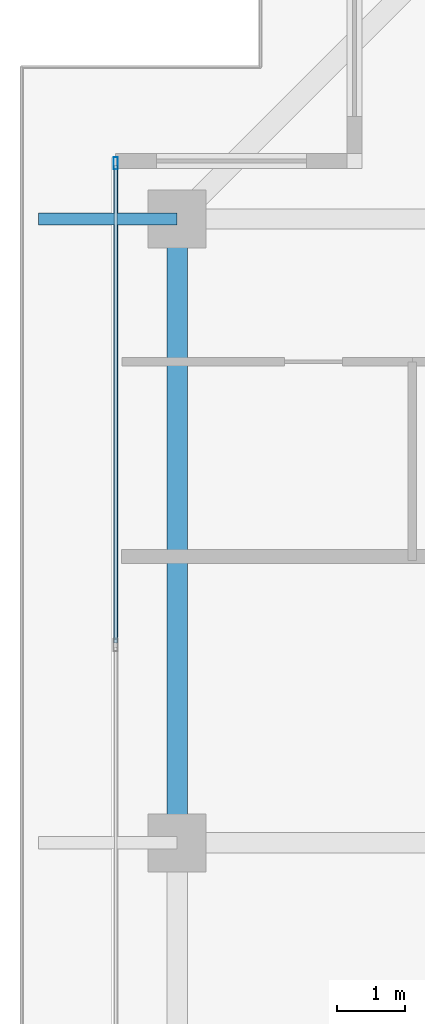
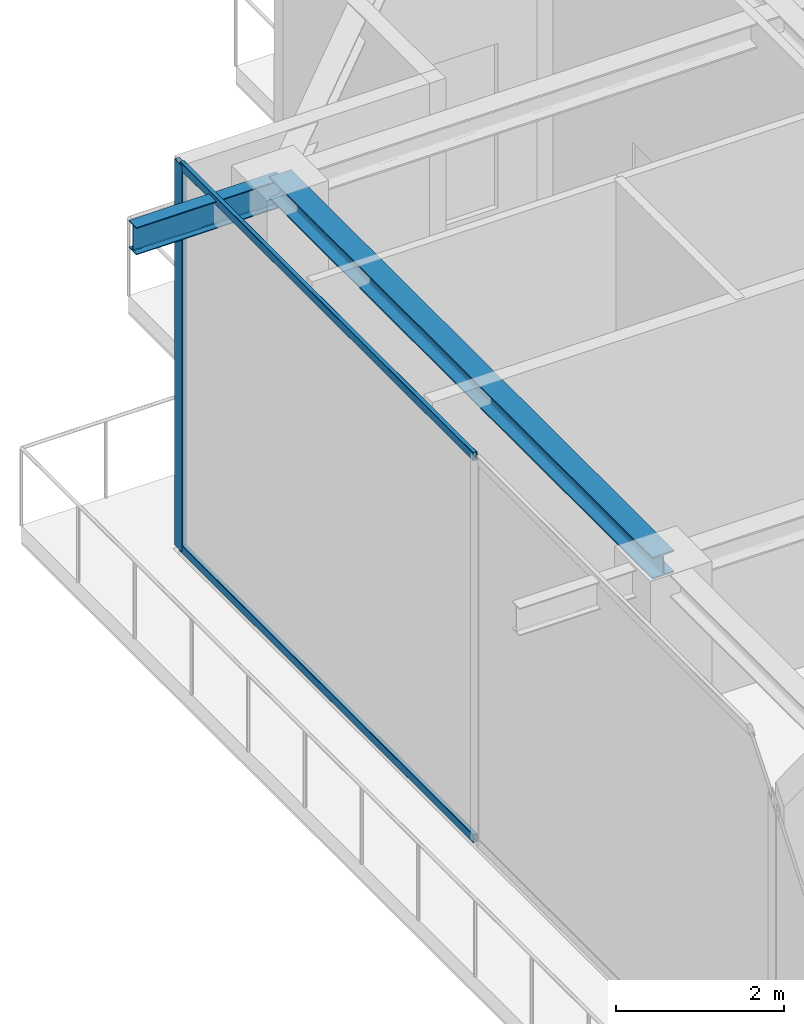
# One storey, part 17 of 38: 3 members, 2 beams, 1 element without a shape of its own.
"""IFC4 building model written with IfcOpenShell, lengths in metres."""

from ifc_helpers import new_model, si_unit, direction, frame, origin, origin_2d, place, context, subcontext, project, spatial, hollow_rectangle, i_section, extrude, source, transform, mapped, material, layer, layer_set, material_profile, profile_set, type_object, element, aggregate, save


model = new_model("IFC4")

# Units and contexts
model_context = context("Model", 3, precision=1e-05, world=origin(), true_north=direction((0.0, 1.0)))
body_context = subcontext(model_context, "Body", "Model", "MODEL_VIEW")
ifc_project = project(units=[si_unit("LENGTHUNIT", "METRE"), si_unit("AREAUNIT", "SQUARE_METRE"), si_unit("VOLUMEUNIT", "CUBIC_METRE"), si_unit("PLANEANGLEUNIT", "RADIAN"), si_unit("MASSUNIT", "GRAM", prefix="KILO")], contexts=[model_context])

# Site, building, storey
site_placement = place(None, origin())
site = spatial("IfcSite", under=ifc_project, at=site_placement, CompositionType="ELEMENT")
building_placement = place(site_placement, origin())
building = spatial("IfcBuilding", under=site, at=building_placement, Name="Serunith Strait Residences", CompositionType="ELEMENT")
storey_placement = place(building_placement, frame((0.0, 0.0, 342.050048828125)))
storey = spatial("IfcBuildingStorey", under=building, at=storey_placement, Name="L85", CompositionType="ELEMENT", Elevation=342.050048828125)

# Beams
ifc_material_1 = material(Name="Steel S355J2", Category="steel")
ifc_material_profile_1 = material_profile(ifc_material_1, i_section(OverallWidth=0.300048828125, OverallDepth=0.320068359375, WebThickness=0.011474609375, FlangeThickness=0.0205078125, FilletRadius=0.027099609375, at=origin_2d()), Name="HEB 320")
ifc_profile_set_1 = profile_set([ifc_material_profile_1], Name="Steel S355J2")
beam_type_1 = type_object("IfcBeamType", Name="BM-HEB320", PredefinedType="BEAM", material=ifc_profile_set_1)
shared_shape_1 = source(origin(), body_context, "Body", "SweptSolid", [
    extrude(i_section(OverallWidth=0.300048828125, OverallDepth=0.320068359375, WebThickness=0.011474609375, FlangeThickness=0.0205078125, FilletRadius=0.027099609375, at=origin_2d()), origin(), (0.0, 0.0, 1.0), 9.150146484375),
])
beam_1_placement = place(storey_placement, frame((11.699951171875, 38.550048828125, 5.47705078125), z_axis=(0.0, -1.0, 0.0), x_axis=(1.0, 0.0, 0.0)))
element("IfcBeam", 1, at=beam_1_placement, inside=storey, type_object=beam_type_1, Name="L85 Perimeter Ring Beam 13", PredefinedType="BEAM", context=body_context, shape_type="MappedRepresentation", body=[
    mapped(shared_shape_1, transform((0.0, 0.0, 0.0), scale=1.0)),
])
ifc_material_profile_2 = material_profile(ifc_material_1, i_section(OverallWidth=0.179931640625, OverallDepth=0.39990234375, WebThickness=0.008544921875, FlangeThickness=0.013427734375, FilletRadius=0.02099609375, at=origin_2d()), Name="IPE 400")
ifc_profile_set_2 = profile_set([ifc_material_profile_2], Name="Steel S355J2")
beam_type_2 = type_object("IfcBeamType", Name="BM-IPE400", PredefinedType="JOIST", material=ifc_profile_set_2)
shared_shape_2 = source(origin(), body_context, "Body", "SweptSolid", [
    extrude(i_section(OverallWidth=0.179931640625, OverallDepth=0.39990234375, WebThickness=0.008544921875, FlangeThickness=0.013427734375, FilletRadius=0.02099609375, at=origin_2d()), origin(), (0.0, 0.0, 1.0), 2.030029296875),
])
beam_2_placement = place(storey_placement, frame((11.699951171875, 38.550048828125, 5.406982421875), z_axis=(-1.0, 0.0, 0.0), x_axis=(0.0, -1.0, 0.0)))
element("IfcBeam", 2, at=beam_2_placement, inside=storey, type_object=beam_type_2, Name="L86 Cantilevered Balcony Rib TC-W4", PredefinedType="JOIST", context=body_context, shape_type="MappedRepresentation", body=[
    mapped(shared_shape_2, transform((0.0, 0.0, 0.0), scale=1.0)),
])

# Curtain wall, members
ifc_material_2 = material(Name="Brushed Stainless-Silver Aluminium", Category="aluminium")
ifc_layer = layer(ifc_material_2, 0.199951171875, Name="Brushed Stainless-Silver Aluminium")
ifc_layer_set = layer_set([ifc_layer], Name="Brushed Stainless-Silver Aluminium")
curtain_wall_type = type_object("IfcCurtainWallType", Name="CW-SYS5", PredefinedType="NOTDEFINED", material=ifc_layer_set)
curtain_wall_placement = place(storey_placement, origin())
curtain_wall = element("IfcCurtainWall", 3, at=curtain_wall_placement, inside=storey, type_object=curtain_wall_type, Name="L85 W Unitised Fritted Curtain Wall", PredefinedType="NOTDEFINED")
ifc_material_profile_3 = material_profile(ifc_material_2, hollow_rectangle(XDim=0.06005859375, YDim=0.1201171875, WallThickness=0.00341796875, InnerFilletRadius=0.00537109375, OuterFilletRadius=0.0087890625, at=origin_2d()), Name="ALU 120x60x3.5")
ifc_profile_set_3 = profile_set([ifc_material_profile_3], Name="Brushed Stainless-Silver Aluminium")
member_type_1 = type_object("IfcMemberType", Name="CW-SYS5-TRAN", PredefinedType="USERDEFINED", material=ifc_profile_set_3)
shared_shape_3 = source(origin(), body_context, "Body", "SweptSolid", [
    extrude(hollow_rectangle(XDim=0.06005859375, YDim=0.1201171875, WallThickness=0.00341796875, InnerFilletRadius=0.00537109375, OuterFilletRadius=0.0087890625, at=origin_2d()), origin(), (0.0, 0.0, 1.0), 7.00244140625),
])
member_1_placement = place(storey_placement, frame((10.800048828125, 39.3349609375, 0.030029296875), z_axis=(0.0, -1.0, 0.0), x_axis=(1.0, 0.0, 0.0)))
member_1 = element("IfcMember", 4, at=member_1_placement, type_object=member_type_1, Name="CW-5 transom 1.1", ObjectType="TRANSOM", PredefinedType="USERDEFINED", context=body_context, shape_type="MappedRepresentation", body=[
    mapped(shared_shape_3, transform((0.0, 0.0, 0.0), scale=1.0)),
])
member_2_placement = place(storey_placement, frame((10.800048828125, 39.3349609375, 5.594970703125), z_axis=(0.0, -1.0, 0.0), x_axis=(1.0, 0.0, 0.0)))
member_2 = element("IfcMember", 5, at=member_2_placement, type_object=member_type_1, Name="CW-5 transom 1.2", ObjectType="TRANSOM", PredefinedType="USERDEFINED", context=body_context, shape_type="MappedRepresentation", body=[
    mapped(shared_shape_3, transform((0.0, 0.0, 0.0), scale=1.0)),
])
ifc_material_profile_4 = material_profile(ifc_material_2, hollow_rectangle(XDim=0.06494140625, YDim=0.179931640625, WallThickness=0.00341796875, InnerFilletRadius=0.00537109375, OuterFilletRadius=0.0087890625, at=origin_2d()), Name="ALU 180x65x3.5")
ifc_profile_set_4 = profile_set([ifc_material_profile_4], Name="Brushed Stainless-Silver Aluminium")
member_type_2 = type_object("IfcMemberType", Name="CW-SYS5-MULL", PredefinedType="MULLION", material=ifc_profile_set_4)
shared_shape_4 = source(origin(), body_context, "Body", "SweptSolid", [
    extrude(hollow_rectangle(XDim=0.06494140625, YDim=0.179931640625, WallThickness=0.00341796875, InnerFilletRadius=0.00537109375, OuterFilletRadius=0.0087890625, at=origin_2d()), origin(), (0.0, 0.0, 1.0), 5.625),
])
member_3_placement = place(storey_placement, frame((10.800048828125, 39.367431640625, 0.0), z_axis=(0.0, 0.0, 1.0), x_axis=(1.0, 0.0, 0.0)))
member_3 = element("IfcMember", 6, at=member_3_placement, type_object=member_type_2, Name="CW-5 mullion 1", PredefinedType="MULLION", context=body_context, shape_type="MappedRepresentation", body=[
    mapped(shared_shape_4, transform((0.0, 0.0, 0.0), scale=1.0)),
])
aggregate(curtain_wall, [member_3, member_1, member_2])

save(model, "model.ifc")
